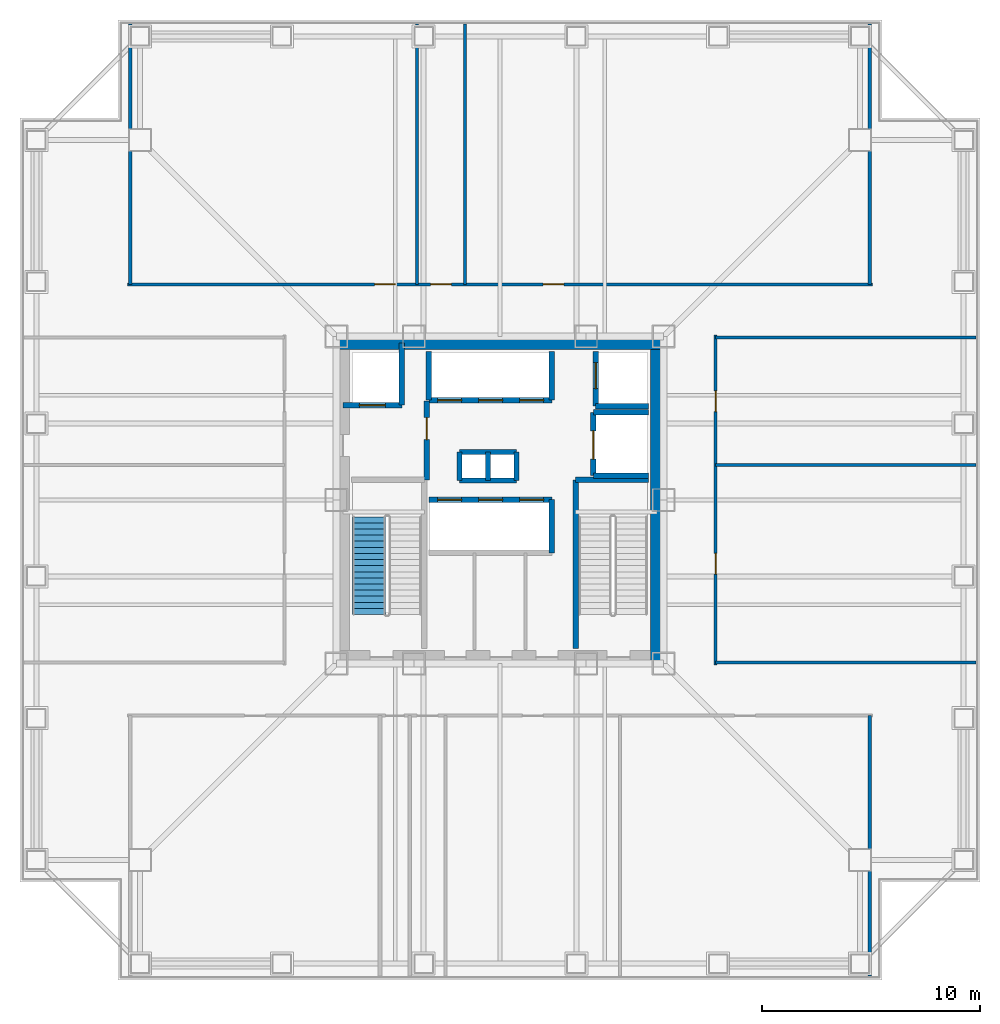
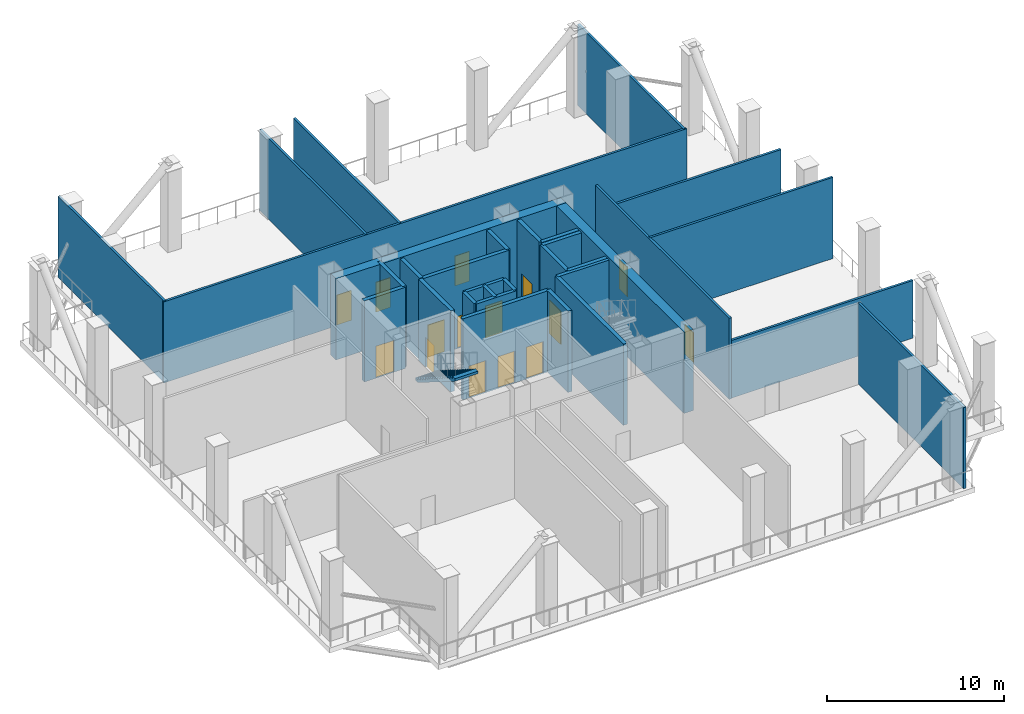
# One storey, part 3 of 7: 32 walls, 15 doors, 1 stair flight, 15 openings, 1 element without a shape of its own.
"""IFC4 building model written with IfcOpenShell, lengths in metres."""

from ifc_helpers import new_model, si_unit, direction, frame, frame_2d, origin, place, context, subcontext, project, spatial, polyline, rectangle, outline, extrude, material, layer, layer_set, type_object, element, fill, aggregate, save


model = new_model("IFC4")

# Units and contexts
model_context = context("Model", 3, precision=1e-05, world=origin(), true_north=direction((0.0, 1.0)))
body_context = subcontext(model_context, "Body", "Model", "MODEL_VIEW")
ifc_project = project(units=[si_unit("LENGTHUNIT", "METRE"), si_unit("AREAUNIT", "SQUARE_METRE"), si_unit("VOLUMEUNIT", "CUBIC_METRE"), si_unit("PLANEANGLEUNIT", "RADIAN"), si_unit("MASSUNIT", "GRAM", prefix="KILO")], contexts=[model_context])

# Site, building, storey
site_placement = place(None, origin())
site = spatial("IfcSite", under=ifc_project, at=site_placement, CompositionType="ELEMENT")
building_placement = place(site_placement, origin())
building = spatial("IfcBuilding", under=site, at=building_placement, Name="Trevonay Congress Spire", CompositionType="ELEMENT")
storey_placement = place(building_placement, frame((0.0, 0.0, 160.199951171875)))
storey = spatial("IfcBuildingStorey", under=building, at=storey_placement, Name="L41", CompositionType="ELEMENT", Elevation=160.199951171875)

# Walls
ifc_material_1 = material(Name="Concrete C60/75", Category="concrete")
ifc_layer_1 = layer(ifc_material_1, 0.60009765625, Name="Concrete C60/75")
ifc_layer_set_1 = layer_set([ifc_layer_1], Name="Concrete C60/75")
wall_type_1 = type_object("IfcWallType", Name="WAL-CORE-600", PredefinedType="SHEAR", material=ifc_layer_set_1)
for number, where, z_axis, x_axis, name in (
    (1, (-7.5, 7.199951171875, 0.0), (0.0, 0.0, 1.0), (1.0, 0.0, 0.0), "L41 North structural core shear wall"),
    (2, (7.199951171875, -7.5, 0.0), (0.0, 0.0, 1.0), (0.0, 1.0, 0.0), "L41 East structural core shear wall"),
):
    element("IfcWall", number, at=place(storey_placement, frame(where, z_axis=z_axis, x_axis=x_axis)), inside=storey, type_object=wall_type_1, Name=name, PredefinedType="SHEAR", context=body_context, shape_type="SweptSolid", body=[
        extrude(rectangle(XDim=15.0, YDim=0.60009765625, at=frame_2d((7.5, 0.0))), origin(), (0.0, 0.0, 1.0), 5.60009765625),
    ])

# Wall, openings, doors
ifc_material_2 = material(Name="Concrete C40/50", Category="concrete")
ifc_layer_2 = layer(ifc_material_2, 0.14990234375, Name="Concrete C40/50")
ifc_layer_set_2 = layer_set([ifc_layer_2], Name="Concrete C40/50")
wall_type_2 = type_object("IfcWallType", Name="WAL-CORR-150", PredefinedType="PARTITIONING", material=ifc_layer_set_2)
wall_1_placement = place(storey_placement, frame((-17.070068359375, 9.8798828125, 0.0), z_axis=(0.0, 0.0, 1.0), x_axis=(1.0, 0.0, 0.0)))
wall_1 = element("IfcWall", 3, at=wall_1_placement, inside=storey, type_object=wall_type_2, Name="L41 interior wall WP-L41N-COR", PredefinedType="PARTITIONING", context=body_context, shape_type="SweptSolid", body=[
    extrude(rectangle(XDim=34.14013671875, YDim=0.14990234375, at=frame_2d((17.070068359375, 0.0))), origin(), (0.0, 0.0, 1.0), 5.60009765625),
])
opening_1_placement = place(wall_1_placement, frame((11.324951171875, 0.0, 0.0)))
opening_1 = element("IfcOpeningElement", 4, at=opening_1_placement, cuts=wall_1, Name="Opening D07", PredefinedType="OPENING", context=body_context, shape_type="SweptSolid", body=[
    extrude(rectangle(XDim=0.949951171875, YDim=2.06005859375, at=frame_2d((0.47509765625, 1.030029296875))), frame((0.0, 0.0849609375, 0.0), z_axis=(0.0, -1.0, 0.0), x_axis=(1.0, 0.0, 0.0)), (0.0, 0.0, 1.0), 0.169921875),
])
opening_2_placement = place(wall_1_placement, frame((13.89501953125, 0.0, 0.0)))
opening_2 = element("IfcOpeningElement", 5, at=opening_2_placement, cuts=wall_1, Name="Opening D07", PredefinedType="OPENING", context=body_context, shape_type="SweptSolid", body=[
    extrude(rectangle(XDim=0.949951171875, YDim=2.06005859375, at=frame_2d((0.47509765625, 1.030029296875))), frame((0.0, 0.0849609375, 0.0), z_axis=(0.0, -1.0, 0.0), x_axis=(1.0, 0.0, 0.0)), (0.0, 0.0, 1.0), 0.169921875),
])
opening_3_placement = place(wall_1_placement, frame((19.044921875, 0.0, 0.0)))
opening_3 = element("IfcOpeningElement", 6, at=opening_3_placement, cuts=wall_1, Name="Opening D07", PredefinedType="OPENING", context=body_context, shape_type="SweptSolid", body=[
    extrude(rectangle(XDim=0.949951171875, YDim=2.06005859375, at=frame_2d((0.47509765625, 1.030029296875))), frame((0.0, 0.0849609375, 0.0), z_axis=(0.0, -1.0, 0.0), x_axis=(1.0, 0.0, 0.0)), (0.0, 0.0, 1.0), 0.169921875),
])
ifc_material_3 = material(Name="Pale Anodised Aluminium EN AW-6063-T6", Category="aluminium")
door_type_1 = type_object("IfcDoorType", Name="DOR-OFFICE-95", OperationType="NOTDEFINED", PredefinedType="DOOR", material=ifc_material_3)
door_1_placement = place(opening_1_placement, origin())
door_1 = element("IfcDoor", 7, at=door_1_placement, inside=storey, type_object=door_type_1, Name="L41 Refuge Area North-East Door", OperationType="SINGLE_SWING_LEFT", OverallHeight=2.06005859375, OverallWidth=0.949951171875, PredefinedType="DOOR", context=body_context, shape_type="SweptSolid", body=[
    extrude(rectangle(XDim=0.949951171875, YDim=2.06005859375, at=frame_2d((0.47509765625, 1.030029296875))), frame((0.0, 0.02490234375, 0.0), z_axis=(0.0, -1.0, 0.0), x_axis=(1.0, 0.0, 0.0)), (0.0, 0.0, 1.0), 0.050048828125),
])
fill(opening_1, door_1)
door_2_placement = place(opening_2_placement, origin())
door_2 = element("IfcDoor", 8, at=door_2_placement, inside=storey, type_object=door_type_1, Name="L41 Sprinkler Break-Tank and Pump Room Door", OperationType="SINGLE_SWING_RIGHT", OverallHeight=2.06005859375, OverallWidth=0.949951171875, PredefinedType="DOOR", context=body_context, shape_type="SweptSolid", body=[
    extrude(rectangle(XDim=0.949951171875, YDim=2.06005859375, at=frame_2d((0.47509765625, 1.030029296875))), frame((0.0, 0.02490234375, 0.0), z_axis=(0.0, -1.0, 0.0), x_axis=(1.0, 0.0, 0.0)), (0.0, 0.0, 1.0), 0.050048828125),
])
fill(opening_2, door_2)
door_3_placement = place(opening_3_placement, origin())
door_3 = element("IfcDoor", 9, at=door_3_placement, inside=storey, type_object=door_type_1, Name="L41 Smoke Extract Plenum Room Door", OperationType="SINGLE_SWING_LEFT", OverallHeight=2.06005859375, OverallWidth=0.949951171875, PredefinedType="DOOR", context=body_context, shape_type="SweptSolid", body=[
    extrude(rectangle(XDim=0.949951171875, YDim=2.06005859375, at=frame_2d((0.47509765625, 1.030029296875))), frame((0.0, 0.02490234375, 0.0), z_axis=(0.0, -1.0, 0.0), x_axis=(1.0, 0.0, 0.0)), (0.0, 0.0, 1.0), 0.050048828125),
])
fill(opening_3, door_3)

wall_2_placement = place(storey_placement, frame((9.8798828125, -7.570068359375, 0.0), z_axis=(0.0, 0.0, 1.0), x_axis=(0.0, 1.0, 0.0)))
wall_2 = element("IfcWall", 10, at=wall_2_placement, inside=storey, type_object=wall_type_2, Name="L41 interior wall WP-L41E-COR", PredefinedType="PARTITIONING", context=body_context, shape_type="SweptSolid", body=[
    extrude(rectangle(XDim=15.14013671875, YDim=0.14990234375, at=frame_2d((7.570068359375, 0.0))), origin(), (0.0, 0.0, 1.0), 5.60009765625),
])
opening_4_placement = place(wall_2_placement, frame((4.169921875, 0.0, 0.0)))
opening_4 = element("IfcOpeningElement", 11, at=opening_4_placement, cuts=wall_2, Name="Opening D07", PredefinedType="OPENING", context=body_context, shape_type="SweptSolid", body=[
    extrude(rectangle(XDim=0.949951171875, YDim=2.06005859375, at=frame_2d((0.47509765625, 1.030029296875))), frame((0.0, 0.0849609375, 0.0), z_axis=(0.0, -1.0, 0.0), x_axis=(1.0, 0.0, 0.0)), (0.0, 0.0, 1.0), 0.169921875),
])
opening_5_placement = place(wall_2_placement, frame((11.6201171875, 0.0, 0.0)))
opening_5 = element("IfcOpeningElement", 12, at=opening_5_placement, cuts=wall_2, Name="Opening D07", PredefinedType="OPENING", context=body_context, shape_type="SweptSolid", body=[
    extrude(rectangle(XDim=0.949951171875, YDim=2.06005859375, at=frame_2d((0.47509765625, 1.030029296875))), frame((0.0, 0.0849609375, 0.0), z_axis=(0.0, -1.0, 0.0), x_axis=(1.0, 0.0, 0.0)), (0.0, 0.0, 1.0), 0.169921875),
])
door_4_placement = place(opening_4_placement, origin())
door_4 = element("IfcDoor", 13, at=door_4_placement, inside=storey, type_object=door_type_1, Name="L41 Refuge Area East Door", OperationType="SINGLE_SWING_RIGHT", OverallHeight=2.06005859375, OverallWidth=0.949951171875, PredefinedType="DOOR", context=body_context, shape_type="SweptSolid", body=[
    extrude(rectangle(XDim=0.949951171875, YDim=2.06005859375, at=frame_2d((0.47509765625, 1.030029296875))), frame((0.0, 0.02490234375, 0.0), z_axis=(0.0, -1.0, 0.0), x_axis=(1.0, 0.0, 0.0)), (0.0, 0.0, 1.0), 0.050048828125),
])
fill(opening_4, door_4)
door_5_placement = place(opening_5_placement, origin())
door_5 = element("IfcDoor", 14, at=door_5_placement, inside=storey, type_object=door_type_1, Name="L41 Domestic Water Booster Room Door", OperationType="SINGLE_SWING_LEFT", OverallHeight=2.06005859375, OverallWidth=0.949951171875, PredefinedType="DOOR", context=body_context, shape_type="SweptSolid", body=[
    extrude(rectangle(XDim=0.949951171875, YDim=2.06005859375, at=frame_2d((0.47509765625, 1.030029296875))), frame((0.0, 0.02490234375, 0.0), z_axis=(0.0, -1.0, 0.0), x_axis=(1.0, 0.0, 0.0)), (0.0, 0.0, 1.0), 0.050048828125),
])
fill(opening_5, door_5)

# Walls
ifc_layer_3 = layer(ifc_material_2, 0.14990234375, Name="Concrete C40/50")
ifc_layer_set_3 = layer_set([ifc_layer_3], Name="Concrete C40/50")
wall_type_3 = type_object("IfcWallType", Name="WAL-PART-150", PredefinedType="PARTITIONING", material=ifc_layer_set_3)
for number, where, z_axis, x_axis, name in (
    (15, (16.949951171875, -21.820068359375, 0.0), (0.0, 0.0, 1.0), (0.0, 1.0, 0.0), "L41 interior wall WP-L41S-DIV5"),
    (16, (-16.949951171875, 9.8798828125, 0.0), (0.0, 0.0, 1.0), (0.0, 1.0, 0.0), "L41 interior wall WP-L41N-DIV1"),
    (17, (-3.800048828125, 9.8798828125, 0.0), (0.0, 0.0, 1.0), (0.0, 1.0, 0.0), "L41 interior wall WP-L41N-DIV2"),
    (18, (-1.60009765625, 9.8798828125, 0.0), (0.0, 0.0, 1.0), (0.0, 1.0, 0.0), "L41 interior wall WP-L41N-DIV3"),
    (19, (16.949951171875, 9.8798828125, 0.0), (0.0, 0.0, 1.0), (0.0, 1.0, 0.0), "L41 interior wall WP-L41N-DIV4"),
):
    element("IfcWall", number, at=place(storey_placement, frame(where, z_axis=z_axis, x_axis=x_axis)), inside=storey, type_object=wall_type_3, Name=name, PredefinedType="PARTITIONING", context=body_context, shape_type="SweptSolid", body=[
        extrude(rectangle(XDim=11.940185546875, YDim=0.14990234375, at=frame_2d((5.97021484375, 0.0))), origin(), (0.0, 0.0, 1.0), 5.60009765625),
    ])
wall_3_placement = place(storey_placement, frame((9.8798828125, -7.449951171875, 0.0), z_axis=(0.0, 0.0, 1.0), x_axis=(1.0, 0.0, 0.0)))
element("IfcWall", 20, at=wall_3_placement, inside=storey, type_object=wall_type_3, Name="L41 interior wall WP-L41E-DIV1", PredefinedType="PARTITIONING", context=body_context, shape_type="SweptSolid", body=[
    extrude(rectangle(XDim=11.940185546875, YDim=0.14990234375, at=frame_2d((5.97021484375, 0.0))), origin(), (0.0, 0.0, 1.0), 3.97509765625),
])
wall_4_placement = place(storey_placement, frame((9.8798828125, 1.60009765625, 0.0), z_axis=(0.0, 0.0, 1.0), x_axis=(1.0, 0.0, 0.0)))
element("IfcWall", 21, at=wall_4_placement, inside=storey, type_object=wall_type_3, Name="L41 interior wall WP-L41E-DIV2", PredefinedType="PARTITIONING", context=body_context, shape_type="SweptSolid", body=[
    extrude(rectangle(XDim=11.940185546875, YDim=0.14990234375, at=frame_2d((5.97021484375, 0.0))), origin(), (0.0, 0.0, 1.0), 5.60009765625),
])
wall_5_placement = place(storey_placement, frame((9.8798828125, 7.449951171875, 0.0), z_axis=(0.0, 0.0, 1.0), x_axis=(1.0, 0.0, 0.0)))
element("IfcWall", 22, at=wall_5_placement, inside=storey, type_object=wall_type_3, Name="L41 interior wall WP-L41E-DIV3", PredefinedType="PARTITIONING", context=body_context, shape_type="SweptSolid", body=[
    extrude(rectangle(XDim=11.940185546875, YDim=0.14990234375, at=frame_2d((5.97021484375, 0.0))), origin(), (0.0, 0.0, 1.0), 3.97509765625),
])
ifc_layer_4 = layer(ifc_material_2, 0.219970703125, Name="Concrete C40/50")
ifc_layer_set_4 = layer_set([ifc_layer_4], Name="Concrete C40/50")
wall_type_4 = type_object("IfcWallType", Name="WAL-SHAFT-220", PredefinedType="PARTITIONING", material=ifc_layer_set_4)
for number, where, z_axis, x_axis, name in (
    (23, (-1.85009765625, 2.199951171875, 0.0), (0.0, 0.0, 1.0), (1.0, 0.0, 0.0), "L41 interior shaft wall WSH-L41-RSR-N"),
    (24, (-1.85009765625, 0.89990234375, 0.0), (0.0, 0.0, 1.0), (1.0, 0.0, 0.0), "L41 interior shaft wall WSH-L41-RSR-S"),
):
    element("IfcWall", number, at=place(storey_placement, frame(where, z_axis=z_axis, x_axis=x_axis)), inside=storey, type_object=wall_type_4, Name=name, PredefinedType="PARTITIONING", context=body_context, shape_type="SweptSolid", body=[
        extrude(rectangle(XDim=2.60009765625, YDim=0.219970703125, at=frame_2d((1.300048828125, 0.0))), origin(), (0.0, 0.0, 1.0), 5.60009765625),
    ])
for number, where, z_axis, x_axis, name in (
    (25, (-0.550048828125, 0.89990234375, 0.0), (0.0, 0.0, 1.0), (0.0, 1.0, 0.0), "L41 interior shaft wall WSH-L41-RSR-M"),
    (26, (0.75, 0.89990234375, 0.0), (0.0, 0.0, 1.0), (0.0, 1.0, 0.0), "L41 interior shaft wall WSH-L41-RSR-E"),
    (27, (-1.85009765625, 0.89990234375, 0.0), (0.0, 0.0, 1.0), (0.0, 1.0, 0.0), "L41 interior shaft wall WSH-L41-RSR-W"),
):
    element("IfcWall", number, at=place(storey_placement, frame(where, z_axis=z_axis, x_axis=x_axis)), inside=storey, type_object=wall_type_4, Name=name, PredefinedType="PARTITIONING", context=body_context, shape_type="SweptSolid", body=[
        extrude(rectangle(XDim=1.300048828125, YDim=0.219970703125, at=frame_2d((0.64990234375, 0.0))), origin(), (0.0, 0.0, 1.0), 5.60009765625),
    ])

# Wall, openings, doors
ifc_layer_5 = layer(ifc_material_2, 0.25, Name="Concrete C40/50")
ifc_layer_set_5 = layer_set([ifc_layer_5], Name="Concrete C40/50")
wall_type_5 = type_object("IfcWallType", Name="WAL-SHAFT-250", PredefinedType="SHEAR", material=ifc_layer_set_5)
wall_6_placement = place(storey_placement, frame((-3.260009765625, 0.02001953125, 0.0), z_axis=(0.0, 0.0, 1.0), x_axis=(1.0, 0.0, 0.0)))
wall_6 = element("IfcWall", 28, at=wall_6_placement, inside=storey, type_object=wall_type_5, Name="L41 interior shaft wall WSH-L41-B2-N", PredefinedType="SHEAR", context=body_context, shape_type="SweptSolid", body=[
    extrude(rectangle(XDim=5.639892578125, YDim=0.25, at=frame_2d((2.81982421875, 0.0))), origin(), (0.0, 0.0, 1.0), 5.60009765625),
])
opening_6_placement = place(wall_6_placement, frame((0.39990234375, 0.0, 0.0)))
opening_6 = element("IfcOpeningElement", 29, at=opening_6_placement, cuts=wall_6, Name="Opening LD02", PredefinedType="OPENING", context=body_context, shape_type="SweptSolid", body=[
    extrude(rectangle(XDim=1.10009765625, YDim=2.199951171875, at=frame_2d((0.550048828125, 1.10009765625))), frame((0.0, 0.135009765625, 0.0), z_axis=(0.0, -1.0, 0.0), x_axis=(1.0, 0.0, 0.0)), (0.0, 0.0, 1.0), 0.27001953125),
])
opening_7_placement = place(wall_6_placement, frame((2.280029296875, 0.0, 0.0)))
opening_7 = element("IfcOpeningElement", 30, at=opening_7_placement, cuts=wall_6, Name="Opening LD02", PredefinedType="OPENING", context=body_context, shape_type="SweptSolid", body=[
    extrude(rectangle(XDim=1.10009765625, YDim=2.199951171875, at=frame_2d((0.550048828125, 1.10009765625))), frame((0.0, 0.135009765625, 0.0), z_axis=(0.0, -1.0, 0.0), x_axis=(1.0, 0.0, 0.0)), (0.0, 0.0, 1.0), 0.27001953125),
])
opening_8_placement = place(wall_6_placement, frame((4.159912109375, 0.0, 0.0)))
opening_8 = element("IfcOpeningElement", 31, at=opening_8_placement, cuts=wall_6, Name="Opening LD02", PredefinedType="OPENING", context=body_context, shape_type="SweptSolid", body=[
    extrude(rectangle(XDim=1.10009765625, YDim=2.199951171875, at=frame_2d((0.550048828125, 1.10009765625))), frame((0.0, 0.135009765625, 0.0), z_axis=(0.0, -1.0, 0.0), x_axis=(1.0, 0.0, 0.0)), (0.0, 0.0, 1.0), 0.27001953125),
])
door_type_2 = type_object("IfcDoorType", Name="DOR-LIFT-LD02", OperationType="DOUBLE_DOOR_SLIDING", PredefinedType="DOOR", material=ifc_material_3)
door_6_placement = place(opening_6_placement, origin())
door_6 = element("IfcDoor", 32, at=door_6_placement, inside=storey, type_object=door_type_2, Name="L41 Passenger lift PL-04 landing door", OperationType="DOUBLE_DOOR_SLIDING", OverallHeight=2.199951171875, OverallWidth=1.10009765625, PredefinedType="DOOR", context=body_context, shape_type="SweptSolid", body=[
    extrude(rectangle(XDim=1.10009765625, YDim=2.199951171875, at=frame_2d((0.550048828125, 1.10009765625))), frame((0.0, 0.02490234375, 0.0), z_axis=(0.0, -1.0, 0.0), x_axis=(1.0, 0.0, 0.0)), (0.0, 0.0, 1.0), 0.050048828125),
])
fill(opening_6, door_6)
door_7_placement = place(opening_7_placement, origin())
door_7 = element("IfcDoor", 33, at=door_7_placement, inside=storey, type_object=door_type_2, Name="L41 Passenger lift PL-05 landing door", OperationType="DOUBLE_DOOR_SLIDING", OverallHeight=2.199951171875, OverallWidth=1.10009765625, PredefinedType="DOOR", context=body_context, shape_type="SweptSolid", body=[
    extrude(rectangle(XDim=1.10009765625, YDim=2.199951171875, at=frame_2d((0.550048828125, 1.10009765625))), frame((0.0, 0.02490234375, 0.0), z_axis=(0.0, -1.0, 0.0), x_axis=(1.0, 0.0, 0.0)), (0.0, 0.0, 1.0), 0.050048828125),
])
fill(opening_7, door_7)
door_8_placement = place(opening_8_placement, origin())
door_8 = element("IfcDoor", 34, at=door_8_placement, inside=storey, type_object=door_type_2, Name="L41 Passenger lift PL-06 landing door", OperationType="DOUBLE_DOOR_SLIDING", OverallHeight=2.199951171875, OverallWidth=1.10009765625, PredefinedType="DOOR", context=body_context, shape_type="SweptSolid", body=[
    extrude(rectangle(XDim=1.10009765625, YDim=2.199951171875, at=frame_2d((0.550048828125, 1.10009765625))), frame((0.0, 0.02490234375, 0.0), z_axis=(0.0, -1.0, 0.0), x_axis=(1.0, 0.0, 0.0)), (0.0, 0.0, 1.0), 0.050048828125),
])
fill(opening_8, door_8)

# Wall
wall_7_placement = place(storey_placement, frame((2.3798828125, -2.419921875, 0.0), z_axis=(0.0, 0.0, 1.0), x_axis=(0.0, 1.0, 0.0)))
element("IfcWall", 35, at=wall_7_placement, inside=storey, type_object=wall_type_5, Name="L41 interior shaft wall WSH-L41-B2-E", PredefinedType="SHEAR", context=body_context, shape_type="SweptSolid", body=[
    extrude(rectangle(XDim=2.43994140625, YDim=0.25, at=frame_2d((1.219970703125, 0.0))), origin(), (0.0, 0.0, 1.0), 5.60009765625),
])

# Wall, openings, doors
wall_8_placement = place(storey_placement, frame((-3.260009765625, 4.580078125, 0.0), z_axis=(0.0, 0.0, 1.0), x_axis=(1.0, 0.0, 0.0)))
wall_8 = element("IfcWall", 36, at=wall_8_placement, inside=storey, type_object=wall_type_5, Name="L41 interior shaft wall WSH-L41-B3-S", PredefinedType="SHEAR", context=body_context, shape_type="SweptSolid", body=[
    extrude(rectangle(XDim=5.639892578125, YDim=0.25, at=frame_2d((2.81982421875, 0.0))), origin(), (0.0, 0.0, 1.0), 5.60009765625),
])
opening_9_placement = place(wall_8_placement, frame((0.39990234375, 0.0, 0.0)))
opening_9 = element("IfcOpeningElement", 37, at=opening_9_placement, cuts=wall_8, Name="Opening LD03", PredefinedType="OPENING", context=body_context, shape_type="SweptSolid", body=[
    extrude(rectangle(XDim=1.10009765625, YDim=2.199951171875, at=frame_2d((0.550048828125, 1.10009765625))), frame((0.0, 0.135009765625, 0.0), z_axis=(0.0, -1.0, 0.0), x_axis=(1.0, 0.0, 0.0)), (0.0, 0.0, 1.0), 0.27001953125),
])
opening_10_placement = place(wall_8_placement, frame((2.280029296875, 0.0, 0.0)))
opening_10 = element("IfcOpeningElement", 38, at=opening_10_placement, cuts=wall_8, Name="Opening LD03", PredefinedType="OPENING", context=body_context, shape_type="SweptSolid", body=[
    extrude(rectangle(XDim=1.10009765625, YDim=2.199951171875, at=frame_2d((0.550048828125, 1.10009765625))), frame((0.0, 0.135009765625, 0.0), z_axis=(0.0, -1.0, 0.0), x_axis=(1.0, 0.0, 0.0)), (0.0, 0.0, 1.0), 0.27001953125),
])
opening_11_placement = place(wall_8_placement, frame((4.159912109375, 0.0, 0.0)))
opening_11 = element("IfcOpeningElement", 39, at=opening_11_placement, cuts=wall_8, Name="Opening LD03", PredefinedType="OPENING", context=body_context, shape_type="SweptSolid", body=[
    extrude(rectangle(XDim=1.10009765625, YDim=2.199951171875, at=frame_2d((0.550048828125, 1.10009765625))), frame((0.0, 0.135009765625, 0.0), z_axis=(0.0, -1.0, 0.0), x_axis=(1.0, 0.0, 0.0)), (0.0, 0.0, 1.0), 0.27001953125),
])
door_type_3 = type_object("IfcDoorType", Name="DOR-LIFT-LD03", OperationType="DOUBLE_DOOR_SLIDING", PredefinedType="DOOR", material=ifc_material_3)
door_9_placement = place(opening_9_placement, origin())
door_9 = element("IfcDoor", 40, at=door_9_placement, inside=storey, type_object=door_type_3, Name="L41 Passenger lift PL-07 landing door", OperationType="DOUBLE_DOOR_SLIDING", OverallHeight=2.199951171875, OverallWidth=1.10009765625, PredefinedType="DOOR", context=body_context, shape_type="SweptSolid", body=[
    extrude(rectangle(XDim=1.10009765625, YDim=2.199951171875, at=frame_2d((0.550048828125, 1.10009765625))), frame((0.0, 0.02490234375, 0.0), z_axis=(0.0, -1.0, 0.0), x_axis=(1.0, 0.0, 0.0)), (0.0, 0.0, 1.0), 0.050048828125),
])
fill(opening_9, door_9)
door_10_placement = place(opening_10_placement, origin())
door_10 = element("IfcDoor", 41, at=door_10_placement, inside=storey, type_object=door_type_3, Name="L41 Passenger lift PL-08 landing door", OperationType="DOUBLE_DOOR_SLIDING", OverallHeight=2.199951171875, OverallWidth=1.10009765625, PredefinedType="DOOR", context=body_context, shape_type="SweptSolid", body=[
    extrude(rectangle(XDim=1.10009765625, YDim=2.199951171875, at=frame_2d((0.550048828125, 1.10009765625))), frame((0.0, 0.02490234375, 0.0), z_axis=(0.0, -1.0, 0.0), x_axis=(1.0, 0.0, 0.0)), (0.0, 0.0, 1.0), 0.050048828125),
])
fill(opening_10, door_10)
door_11_placement = place(opening_11_placement, origin())
door_11 = element("IfcDoor", 42, at=door_11_placement, inside=storey, type_object=door_type_3, Name="L41 Passenger lift PL-09 landing door", OperationType="DOUBLE_DOOR_SLIDING", OverallHeight=2.199951171875, OverallWidth=1.10009765625, PredefinedType="DOOR", context=body_context, shape_type="SweptSolid", body=[
    extrude(rectangle(XDim=1.10009765625, YDim=2.199951171875, at=frame_2d((0.550048828125, 1.10009765625))), frame((0.0, 0.02490234375, 0.0), z_axis=(0.0, -1.0, 0.0), x_axis=(1.0, 0.0, 0.0)), (0.0, 0.0, 1.0), 0.050048828125),
])
fill(opening_11, door_11)

# Walls
for number, where, z_axis, x_axis, name in (
    (43, (-3.260009765625, 4.580078125, 0.0), (0.0, 0.0, 1.0), (0.0, 1.0, 0.0), "L41 interior shaft wall WSH-L41-B3-W"),
    (44, (2.3798828125, 4.580078125, 0.0), (0.0, 0.0, 1.0), (0.0, 1.0, 0.0), "L41 interior shaft wall WSH-L41-B3-E"),
):
    element("IfcWall", number, at=place(storey_placement, frame(where, z_axis=z_axis, x_axis=x_axis)), inside=storey, type_object=wall_type_5, Name=name, PredefinedType="SHEAR", context=body_context, shape_type="SweptSolid", body=[
        extrude(rectangle(XDim=2.219970703125, YDim=0.25, at=frame_2d((1.10986328125, 0.0))), origin(), (0.0, 0.0, 1.0), 5.60009765625),
    ])

# Wall, opening, door
wall_9_placement = place(storey_placement, frame((-7.199951171875, 4.35009765625, 0.0), z_axis=(0.0, 0.0, 1.0), x_axis=(1.0, 0.0, 0.0)))
wall_9 = element("IfcWall", 45, at=wall_9_placement, inside=storey, type_object=wall_type_5, Name="L41 interior shaft wall WSH-L41-FF1-S", PredefinedType="SHEAR", context=body_context, shape_type="SweptSolid", body=[
    extrude(rectangle(XDim=2.699951171875, YDim=0.25, at=frame_2d((1.35009765625, 0.0))), origin(), (0.0, 0.0, 1.0), 5.60009765625),
])
opening_12_placement = place(wall_9_placement, frame((0.75, 0.0, 0.0)))
opening_12 = element("IfcOpeningElement", 46, at=opening_12_placement, cuts=wall_9, Name="Opening LD04", PredefinedType="OPENING", context=body_context, shape_type="SweptSolid", body=[
    extrude(rectangle(XDim=1.199951171875, YDim=2.199951171875, at=frame_2d((0.60009765625, 1.10009765625))), frame((0.0, 0.135009765625, 0.0), z_axis=(0.0, -1.0, 0.0), x_axis=(1.0, 0.0, 0.0)), (0.0, 0.0, 1.0), 0.27001953125),
])
ifc_material_4 = material(Name="Steel ASTM A572 Grade 50", Category="steel")
door_type_4 = type_object("IfcDoorType", Name="DOR-LIFT-LD04", OperationType="DOUBLE_DOOR_SLIDING", PredefinedType="DOOR", material=ifc_material_4)
door_12_placement = place(opening_12_placement, origin())
door_12 = element("IfcDoor", 47, at=door_12_placement, inside=storey, type_object=door_type_4, Name="L41 Firefighting lift FFL-01 landing door", OperationType="DOUBLE_DOOR_SLIDING", OverallHeight=2.199951171875, OverallWidth=1.199951171875, PredefinedType="DOOR", context=body_context, shape_type="SweptSolid", body=[
    extrude(rectangle(XDim=1.199951171875, YDim=2.199951171875, at=frame_2d((0.60009765625, 1.10009765625))), frame((0.0, 0.02490234375, 0.0), z_axis=(0.0, -1.0, 0.0), x_axis=(1.0, 0.0, 0.0)), (0.0, 0.0, 1.0), 0.050048828125),
])
fill(opening_12, door_12)

# Walls
wall_10_placement = place(storey_placement, frame((-4.5, 4.35009765625, 0.0), z_axis=(0.0, 0.0, 1.0), x_axis=(0.0, 1.0, 0.0)))
element("IfcWall", 48, at=wall_10_placement, inside=storey, type_object=wall_type_5, Name="L41 interior shaft wall WSH-L41-FF1-E", PredefinedType="SHEAR", context=body_context, shape_type="SweptSolid", body=[
    extrude(rectangle(XDim=2.849853515625, YDim=0.25, at=frame_2d((1.4248046875, 0.0))), origin(), (0.0, 0.0, 1.0), 5.60009765625),
])
wall_11_placement = place(storey_placement, frame((4.3798828125, 4.300048828125, 0.0), z_axis=(0.0, 0.0, 1.0), x_axis=(1.0, 0.0, 0.0)))
element("IfcWall", 49, at=wall_11_placement, inside=storey, type_object=wall_type_5, Name="L41 interior shaft wall WSH-L41-FF2-S", PredefinedType="SHEAR", context=body_context, shape_type="SweptSolid", body=[
    extrude(rectangle(XDim=2.420166015625, YDim=0.25, at=frame_2d((1.2099609375, 0.0))), origin(), (0.0, 0.0, 1.0), 5.60009765625),
])

# Wall, opening, door
wall_12_placement = place(storey_placement, frame((4.3798828125, 4.300048828125, 0.0), z_axis=(0.0, 0.0, 1.0), x_axis=(0.0, 1.0, 0.0)))
wall_12 = element("IfcWall", 50, at=wall_12_placement, inside=storey, type_object=wall_type_5, Name="L41 interior shaft wall WSH-L41-FF2-W", PredefinedType="SHEAR", context=body_context, shape_type="SweptSolid", body=[
    extrude(rectangle(XDim=2.5, YDim=0.25, at=frame_2d((1.25, 0.0))), origin(), (0.0, 0.0, 1.0), 5.60009765625),
])
opening_13_placement = place(wall_12_placement, frame((0.800048828125, 0.0, 0.0)))
opening_13 = element("IfcOpeningElement", 51, at=opening_13_placement, cuts=wall_12, Name="Opening LD04", PredefinedType="OPENING", context=body_context, shape_type="SweptSolid", body=[
    extrude(rectangle(XDim=1.199951171875, YDim=2.199951171875, at=frame_2d((0.60009765625, 1.10009765625))), frame((0.0, 0.135009765625, 0.0), z_axis=(0.0, -1.0, 0.0), x_axis=(1.0, 0.0, 0.0)), (0.0, 0.0, 1.0), 0.27001953125),
])
door_13_placement = place(opening_13_placement, origin())
door_13 = element("IfcDoor", 52, at=door_13_placement, inside=storey, type_object=door_type_4, Name="L41 Firefighting lift FFL-02 landing door", OperationType="DOUBLE_DOOR_SLIDING", OverallHeight=2.199951171875, OverallWidth=1.199951171875, PredefinedType="DOOR", context=body_context, shape_type="SweptSolid", body=[
    extrude(rectangle(XDim=1.199951171875, YDim=2.199951171875, at=frame_2d((0.60009765625, 1.10009765625))), frame((0.0, 0.02490234375, 0.0), z_axis=(0.0, -1.0, 0.0), x_axis=(1.0, 0.0, 0.0)), (0.0, 0.0, 1.0), 0.050048828125),
])
fill(opening_13, door_13)

wall_13_placement = place(storey_placement, frame((4.280029296875, 1.1201171875, 0.0), z_axis=(0.0, 0.0, 1.0), x_axis=(0.0, 1.0, 0.0)))
wall_13 = element("IfcWall", 53, at=wall_13_placement, inside=storey, type_object=wall_type_5, Name="L41 interior shaft wall WSH-L41-SV-W", PredefinedType="SHEAR", context=body_context, shape_type="SweptSolid", body=[
    extrude(rectangle(XDim=2.89990234375, YDim=0.25, at=frame_2d((1.449951171875, 0.0))), origin(), (0.0, 0.0, 1.0), 5.60009765625),
])
opening_14_placement = place(wall_13_placement, frame((0.75, 0.0, 0.0)))
opening_14 = element("IfcOpeningElement", 54, at=opening_14_placement, cuts=wall_13, Name="Opening LD05", PredefinedType="OPENING", context=body_context, shape_type="SweptSolid", body=[
    extrude(rectangle(XDim=1.300048828125, YDim=2.300048828125, at=frame_2d((0.64990234375, 1.14990234375))), frame((0.0, 0.135009765625, 0.0), z_axis=(0.0, -1.0, 0.0), x_axis=(1.0, 0.0, 0.0)), (0.0, 0.0, 1.0), 0.27001953125),
])
door_type_5 = type_object("IfcDoorType", Name="DOR-LIFT-LD05", OperationType="DOUBLE_DOOR_SLIDING", PredefinedType="DOOR", material=ifc_material_4)
door_14_placement = place(opening_14_placement, origin())
door_14 = element("IfcDoor", 55, at=door_14_placement, inside=storey, type_object=door_type_5, Name="L41 Goods lift SVL-01 landing door", OperationType="DOUBLE_DOOR_SLIDING", OverallHeight=2.300048828125, OverallWidth=1.300048828125, PredefinedType="DOOR", context=body_context, shape_type="SweptSolid", body=[
    extrude(rectangle(XDim=1.300048828125, YDim=2.300048828125, at=frame_2d((0.64990234375, 1.14990234375))), frame((0.0, 0.02490234375, 0.0), z_axis=(0.0, -1.0, 0.0), x_axis=(1.0, 0.0, 0.0)), (0.0, 0.0, 1.0), 0.050048828125),
])
fill(opening_14, door_14)

# Walls
for number, where, z_axis, x_axis, name in (
    (56, (4.280029296875, 1.1201171875, 0.0), (0.0, 0.0, 1.0), (1.0, 0.0, 0.0), "L41 interior shaft wall WSH-L41-SV-S"),
    (57, (4.280029296875, 4.02001953125, 0.0), (0.0, 0.0, 1.0), (1.0, 0.0, 0.0), "L41 interior shaft wall WSH-L41-SV-N"),
):
    element("IfcWall", number, at=place(storey_placement, frame(where, z_axis=z_axis, x_axis=x_axis)), inside=storey, type_object=wall_type_5, Name=name, PredefinedType="SHEAR", context=body_context, shape_type="SweptSolid", body=[
        extrude(rectangle(XDim=2.52001953125, YDim=0.25, at=frame_2d((1.260009765625, 0.0))), origin(), (0.0, 0.0, 1.0), 5.60009765625),
    ])

# Wall, opening, door
wall_14_placement = place(storey_placement, frame((-3.35009765625, 0.919921875, 0.0), z_axis=(0.0, 0.0, 1.0), x_axis=(0.0, 1.0, 0.0)))
wall_14 = element("IfcWall", 58, at=wall_14_placement, inside=storey, type_object=wall_type_5, Name="L41 interior wall CW-FFLW-E-L41", PredefinedType="SHEAR", context=body_context, shape_type="SweptSolid", body=[
    extrude(rectangle(XDim=3.6201171875, YDim=0.25, at=frame_2d((1.81005859375, 0.0))), origin(), (0.0, 0.0, 1.0), 5.60009765625),
])
opening_15_placement = place(wall_14_placement, frame((1.85009765625, 0.0, 0.0)))
opening_15 = element("IfcOpeningElement", 59, at=opening_15_placement, cuts=wall_14, Name="Opening D06", PredefinedType="OPENING", context=body_context, shape_type="SweptSolid", body=[
    extrude(rectangle(XDim=1.0, YDim=2.080078125, at=frame_2d((0.5, 1.0400390625))), frame((0.0, 0.135009765625, 0.0), z_axis=(0.0, -1.0, 0.0), x_axis=(1.0, 0.0, 0.0)), (0.0, 0.0, 1.0), 0.27001953125),
])
door_type_6 = type_object("IfcDoorType", Name="DOR-FIRE-100", OperationType="NOTDEFINED", PredefinedType="DOOR", material=ifc_material_4)
door_15_placement = place(opening_15_placement, origin())
door_15 = element("IfcDoor", 60, at=door_15_placement, inside=storey, type_object=door_type_6, Name="L41 Firefighting Core Lobby Transfer Door", OperationType="SINGLE_SWING_LEFT", OverallHeight=2.080078125, OverallWidth=1.0, PredefinedType="DOOR", context=body_context, shape_type="SweptSolid", body=[
    extrude(rectangle(XDim=1.0, YDim=2.080078125, at=frame_2d((0.5, 1.0400390625))), frame((0.0, 0.02490234375, 0.0), z_axis=(0.0, -1.0, 0.0), x_axis=(1.0, 0.0, 0.0)), (0.0, 0.0, 1.0), 0.050048828125),
])
fill(opening_15, door_15)

# Walls
ifc_layer_6 = layer(ifc_material_2, 0.25, Name="Concrete C40/50")
ifc_layer_set_6 = layer_set([ifc_layer_6], Name="Concrete C40/50")
wall_type_6 = type_object("IfcWallType", Name="WAL-SHAFT-LB-250", PredefinedType="SHEAR", material=ifc_layer_set_6)
wall_15_placement = place(storey_placement, frame((3.469970703125, -6.800048828125, 0.0), z_axis=(0.0, 0.0, 1.0), x_axis=(0.0, 1.0, 0.0)))
element("IfcWall", 61, at=wall_15_placement, inside=storey, type_object=wall_type_6, Name="L41 interior shaft wall WSH-L41-ST2-W", PredefinedType="SHEAR", context=body_context, shape_type="SweptSolid", body=[
    extrude(rectangle(XDim=7.719970703125, YDim=0.25, at=frame_2d((3.85986328125, 0.0))), origin(), (0.0, 0.0, 1.0), 5.60009765625),
])
wall_16_placement = place(storey_placement, frame((3.469970703125, 0.919921875, 0.0), z_axis=(0.0, 0.0, 1.0), x_axis=(1.0, 0.0, 0.0)))
element("IfcWall", 62, at=wall_16_placement, inside=storey, type_object=wall_type_6, Name="L41 interior shaft wall WSH-L41-ST2-N", PredefinedType="SHEAR", context=body_context, shape_type="SweptSolid", body=[
    extrude(rectangle(XDim=3.330078125, YDim=0.25, at=frame_2d((1.6650390625, 0.0))), origin(), (0.0, 0.0, 1.0), 5.60009765625),
])

# Stair, stair flight
stair_type = type_object("IfcStairType", Name="STR-ST-1", PredefinedType="HALF_TURN_STAIR", material=ifc_material_2)
stair_placement = place(storey_placement, origin())
stair = element("IfcStair", 63, at=stair_placement, inside=storey, type_object=stair_type, Name="L41 Protected Exit Stair ST-1", PredefinedType="HALF_TURN_STAIR")
stair_flight_type = type_object("IfcStairFlightType", Name="SFL-ST-1", PredefinedType="STRAIGHT", material=ifc_material_2)
stair_flight_placement = place(storey_placement, frame((-6.0, -0.77001953125, 3.0), z_axis=(0.0, 0.0, 1.0), x_axis=(0.0, -1.0, 0.0)))
stair_flight = element("IfcStairFlight", 64, at=stair_flight_placement, type_object=stair_flight_type, Name="ST-1 flight 2", NumberOfRisers=17, NumberOfTreads=16, PredefinedType="STRAIGHT", RiserHeight=0.176470588, TreadLength=0.28, context=body_context, shape_type="SweptSolid", body=[
    extrude(outline(polyline([(0.0, 0.0), (0.0, 0.176513671875), (0.280029296875, 0.176513671875), (0.280029296875, 0.35302734375), (0.56005859375, 0.35302734375), (0.56005859375, 0.529296875), (0.840087890625, 0.529296875), (0.840087890625, 0.705810546875), (1.1201171875, 0.705810546875), (1.1201171875, 0.88232421875), (1.39990234375, 0.88232421875), (1.39990234375, 1.058837890625), (1.679931640625, 1.058837890625), (1.679931640625, 1.2353515625), (1.9599609375, 1.2353515625), (1.9599609375, 1.411865234375), (2.239990234375, 1.411865234375), (2.239990234375, 1.588134765625), (2.52001953125, 1.588134765625), (2.52001953125, 1.7646484375), (2.800048828125, 1.7646484375), (2.800048828125, 1.941162109375), (3.080078125, 1.941162109375), (3.080078125, 2.11767578125), (3.360107421875, 2.11767578125), (3.360107421875, 2.294189453125), (3.639892578125, 2.294189453125), (3.639892578125, 2.470703125), (3.919921875, 2.470703125), (3.919921875, 2.64697265625), (4.199951171875, 2.64697265625), (4.199951171875, 2.823486328125), (4.47998046875, 2.823486328125), (4.47998046875, 3.0), (4.47998046875, 2.646240234375), (0.28125, 0.0), (0.0, 0.0)])), frame((0.0, 0.75, 0.0), z_axis=(0.0, -1.0, 0.0), x_axis=(1.0, 0.0, 0.0)), (0.0, 0.0, 1.0), 1.5),
])
aggregate(stair, [stair_flight])

save(model, "model.ifc")
